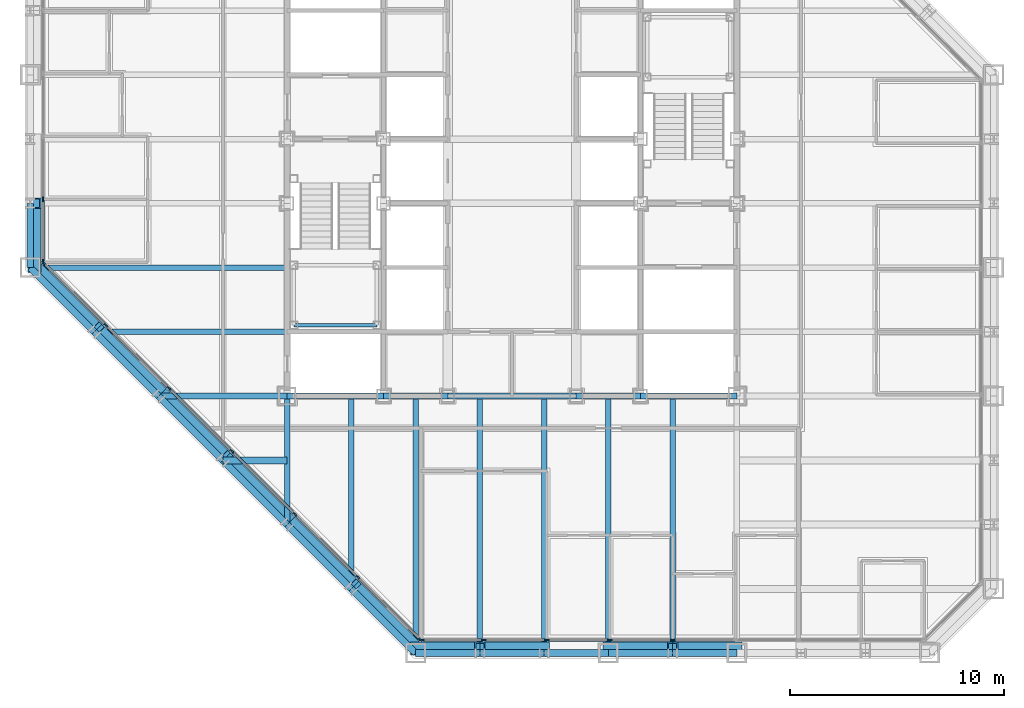
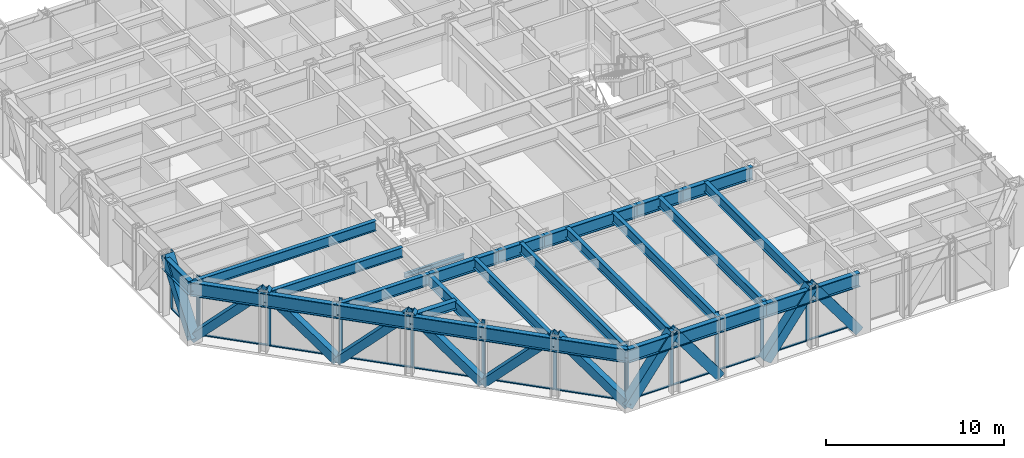
# One storey, part 4 of 16: 37 members, 29 beams, 3 elements without a shape of their own.
"""IFC4 building model written with IfcOpenShell, lengths in metres."""

from ifc_helpers import new_model, si_unit, direction, frame, origin, origin_2d, place, context, subcontext, project, spatial, rectangle, hollow_rectangle, i_section, extrude, material, layer, layer_set, material_profile, profile_set, type_object, element, aggregate, save


model = new_model("IFC4")

# Units and contexts
model_context = context("Model", 3, precision=1e-05, world=origin(), true_north=direction((0.0, 1.0)))
body_context = subcontext(model_context, "Body", "Model", "MODEL_VIEW")
ifc_project = project(units=[si_unit("LENGTHUNIT", "METRE"), si_unit("AREAUNIT", "SQUARE_METRE"), si_unit("VOLUMEUNIT", "CUBIC_METRE"), si_unit("PLANEANGLEUNIT", "RADIAN"), si_unit("MASSUNIT", "GRAM", prefix="KILO")], contexts=[model_context])

# Site, building, storey
site_placement = place(None, origin())
site = spatial("IfcSite", under=ifc_project, at=site_placement, CompositionType="ELEMENT")
building_placement = place(site_placement, origin())
building = spatial("IfcBuilding", under=site, at=building_placement, Name="Chuquiago Exchange Tower", CompositionType="ELEMENT")
storey_placement = place(building_placement, frame((0.0, 0.0, 148.800048828125)))
storey = spatial("IfcBuildingStorey", under=building, at=storey_placement, Name="L32", CompositionType="ELEMENT", Elevation=148.800048828125)

# Beams
ifc_material_1 = material(Name="Steel ASTM A992", Category="steel")
ifc_material_profile_1 = material_profile(ifc_material_1, i_section(OverallWidth=0.25390625, OverallDepth=0.683349609375, WebThickness=0.012451171875, FlangeThickness=0.018798828125, at=origin_2d()), Name="W27X94")
ifc_profile_set_1 = profile_set([ifc_material_profile_1], Name="Steel ASTM A992")
beam_type_1 = type_object("IfcBeamType", Name="B1 W27X94", PredefinedType="BEAM", material=ifc_profile_set_1)
beam_1_placement = place(storey_placement, frame((15.0, 12.0, 3.6982421875), z_axis=(0.0, -1.0, 0.0), x_axis=(1.0, 0.0, 0.0)))
element("IfcBeam", 1, at=beam_1_placement, inside=storey, type_object=beam_type_1, Name="FB-L33-infill-15_12-15_3-0", PredefinedType="BEAM", context=body_context, shape_type="SweptSolid", body=[
    extrude(i_section(OverallWidth=0.25390625, OverallDepth=0.683349609375, WebThickness=0.012451171875, FlangeThickness=0.018798828125, at=origin_2d()), origin(), (0.0, 0.0, 1.0), 9.0),
])
for number, where, z_axis, x_axis, name in (
    (2, (18.0, 12.0, 3.6982421875), (0.0, -1.0, 0.0), (1.0, 0.0, 0.0), "FB-L33-infill-18_12-18_-0-0"),
    (3, (21.0, 12.0, 3.6982421875), (0.0, -1.0, 0.0), (1.0, 0.0, 0.0), "FB-L33-infill-21_12-21_-0-0"),
    (4, (24.0, 12.0, 3.6982421875), (0.0, -1.0, 0.0), (1.0, 0.0, 0.0), "FB-L33-infill-24_12-24_-0-0"),
    (5, (27.0, 12.0, 3.6982421875), (0.0, -1.0, 0.0), (1.0, 0.0, 0.0), "FB-L33-infill-27_12-27_-0-0"),
    (6, (30.0, 12.0, 3.6982421875), (0.0, -1.0, 0.0), (1.0, 0.0, 0.0), "FB-L33-infill-30_12-30_-0-0"),
):
    element("IfcBeam", number, at=place(storey_placement, frame(where, z_axis=z_axis, x_axis=x_axis)), inside=storey, type_object=beam_type_1, Name=name, PredefinedType="BEAM", context=body_context, shape_type="SweptSolid", body=[
        extrude(i_section(OverallWidth=0.25390625, OverallDepth=0.683349609375, WebThickness=0.012451171875, FlangeThickness=0.018798828125, at=origin_2d()), origin(), (0.0, 0.0, 1.0), 12.0),
    ])
beam_2_placement = place(storey_placement, frame((12.0, 15.0, 3.6982421875), z_axis=(-1.0, 0.0, 0.0), x_axis=(0.0, -1.0, 0.0)))
element("IfcBeam", 7, at=beam_2_placement, inside=storey, type_object=beam_type_1, Name="FB-L33-infill-12_15-3_15-0", PredefinedType="BEAM", context=body_context, shape_type="SweptSolid", body=[
    extrude(i_section(OverallWidth=0.25390625, OverallDepth=0.683349609375, WebThickness=0.012451171875, FlangeThickness=0.018798828125, at=origin_2d()), origin(), (0.0, 0.0, 1.0), 9.0),
])
beam_3_placement = place(storey_placement, frame((12.0, 18.0, 3.6982421875), z_axis=(-1.0, 0.0, 0.0), x_axis=(0.0, -1.0, 0.0)))
element("IfcBeam", 8, at=beam_3_placement, inside=storey, type_object=beam_type_1, Name="FB-L33-infill-12_18--0_18-0", PredefinedType="BEAM", context=body_context, shape_type="SweptSolid", body=[
    extrude(i_section(OverallWidth=0.25390625, OverallDepth=0.683349609375, WebThickness=0.012451171875, FlangeThickness=0.018798828125, at=origin_2d()), origin(), (0.0, 0.0, 1.0), 12.0),
])
ifc_material_2 = material(Name="Steel ASTM A992", Category="steel")
ifc_material_profile_2 = material_profile(ifc_material_2, i_section(OverallWidth=0.3251953125, OverallDepth=0.612060546875, WebThickness=0.0126953125, FlangeThickness=0.01904296875, at=origin_2d()), Name="W24X104")
ifc_profile_set_2 = profile_set([ifc_material_profile_2], Name="Steel ASTM A992")
beam_type_2 = type_object("IfcBeamType", Name="B2 W24X104", PredefinedType="BEAM", material=ifc_profile_set_2)
beam_4_placement = place(storey_placement, frame((12.0, 9.0, 3.73388671875), z_axis=(-1.0, 0.0, 0.0), x_axis=(0.0, -1.0, 0.0)))
element("IfcBeam", 9, at=beam_4_placement, inside=storey, type_object=beam_type_2, Name="FB-L33-corner-12_9-9_9-0", PredefinedType="BEAM", context=body_context, shape_type="SweptSolid", body=[
    extrude(i_section(OverallWidth=0.3251953125, OverallDepth=0.612060546875, WebThickness=0.0126953125, FlangeThickness=0.01904296875, at=origin_2d()), origin(), (0.0, 0.0, 1.0), 3.0),
])
ifc_material_3 = material(Name="Steel ASTM A992", Category="steel")
ifc_material_profile_3 = material_profile(ifc_material_3, i_section(OverallWidth=0.2919921875, OverallDepth=0.8583984375, WebThickness=0.01708984375, FlangeThickness=0.031005859375, at=origin_2d()), Name="W33X169")
ifc_profile_set_3 = profile_set([ifc_material_profile_3], Name="Steel ASTM A992")
beam_type_3 = type_object("IfcBeamType", Name="B3 W33X169", PredefinedType="BEAM", material=ifc_profile_set_3)
beam_5_placement = place(storey_placement, frame((12.0, 12.0, 3.610595703125), z_axis=(1.0, 0.0, 0.0), x_axis=(0.0, 1.0, 0.0)))
element("IfcBeam", 10, at=beam_5_placement, inside=storey, type_object=beam_type_3, Name="CB-L33-12_12-16.5_12", PredefinedType="BEAM", context=body_context, shape_type="SweptSolid", body=[
    extrude(i_section(OverallWidth=0.2919921875, OverallDepth=0.8583984375, WebThickness=0.01708984375, FlangeThickness=0.031005859375, at=origin_2d()), origin(), (0.0, 0.0, 1.0), 4.5),
])
beam_6_placement = place(storey_placement, frame((16.5, 12.0, 3.610595703125), z_axis=(1.0, 0.0, 0.0), x_axis=(0.0, 1.0, 0.0)))
element("IfcBeam", 11, at=beam_6_placement, inside=storey, type_object=beam_type_3, Name="CB-L33-16.5_12-19.5_12", PredefinedType="BEAM", context=body_context, shape_type="SweptSolid", body=[
    extrude(i_section(OverallWidth=0.2919921875, OverallDepth=0.8583984375, WebThickness=0.01708984375, FlangeThickness=0.031005859375, at=origin_2d()), origin(), (0.0, 0.0, 1.0), 3.0),
])
beam_7_placement = place(storey_placement, frame((19.5, 12.0, 3.610595703125), z_axis=(1.0, 0.0, 0.0), x_axis=(0.0, 1.0, 0.0)))
element("IfcBeam", 12, at=beam_7_placement, inside=storey, type_object=beam_type_3, Name="CB-L33-19.5_12-25.5_12", PredefinedType="BEAM", context=body_context, shape_type="SweptSolid", body=[
    extrude(i_section(OverallWidth=0.2919921875, OverallDepth=0.8583984375, WebThickness=0.01708984375, FlangeThickness=0.031005859375, at=origin_2d()), origin(), (0.0, 0.0, 1.0), 6.0),
])
beam_8_placement = place(storey_placement, frame((25.5, 12.0, 3.610595703125), z_axis=(1.0, 0.0, 0.0), x_axis=(0.0, 1.0, 0.0)))
element("IfcBeam", 13, at=beam_8_placement, inside=storey, type_object=beam_type_3, Name="CB-L33-25.5_12-28.5_12", PredefinedType="BEAM", context=body_context, shape_type="SweptSolid", body=[
    extrude(i_section(OverallWidth=0.2919921875, OverallDepth=0.8583984375, WebThickness=0.01708984375, FlangeThickness=0.031005859375, at=origin_2d()), origin(), (0.0, 0.0, 1.0), 3.0),
])
beam_9_placement = place(storey_placement, frame((28.5, 12.0, 3.610595703125), z_axis=(1.0, 0.0, 0.0), x_axis=(0.0, 1.0, 0.0)))
element("IfcBeam", 14, at=beam_9_placement, inside=storey, type_object=beam_type_3, Name="CB-L33-28.5_12-33_12", PredefinedType="BEAM", context=body_context, shape_type="SweptSolid", body=[
    extrude(i_section(OverallWidth=0.2919921875, OverallDepth=0.8583984375, WebThickness=0.01708984375, FlangeThickness=0.031005859375, at=origin_2d()), origin(), (0.0, 0.0, 1.0), 4.5),
])

# Curtain wall, members
ifc_material_4 = material(Name="Aluminium curtain wall system", Category="aluminium")
ifc_layer_1 = layer(ifc_material_4, 0.22509765625)
ifc_layer_set_1 = layer_set([ifc_layer_1], Name="CW2 office curtain wall")
curtain_wall_type_1 = type_object("IfcCurtainWallType", Name="CW2 office curtain wall", PredefinedType="NOTDEFINED", material=ifc_layer_set_1)
curtain_wall_1_placement = place(storey_placement, origin())
curtain_wall_1 = element("IfcCurtainWall", 15, at=curtain_wall_1_placement, inside=storey, type_object=curtain_wall_type_1, Name="CW2 curtain wall L32", PredefinedType="NOTDEFINED")
ifc_material_5 = material(Name="Aluminium mullion, pale anodised", Category="aluminium")
ifc_material_profile_4 = material_profile(ifc_material_5, rectangle(XDim=0.06494140625, YDim=0.22509765625, at=origin_2d()), Name="AL 65x225")
ifc_profile_set_4 = profile_set([ifc_material_profile_4], Name="Aluminium mullion, pale anodised")
member_type_1 = type_object("IfcMemberType", Name="CW2-M mullion 65x225", PredefinedType="MULLION", material=ifc_profile_set_4)
member_1_placement = place(storey_placement, frame((18.281005859375, 0.60009765625, 0.0), z_axis=(0.0, 0.0, 1.0), x_axis=(0.0, 1.0, 0.0)))
member_1 = element("IfcMember", 16, at=member_1_placement, type_object=member_type_1, Name="CW2 mullion 1", PredefinedType="MULLION", context=body_context, shape_type="SweptSolid", body=[
    extrude(rectangle(XDim=0.06494140625, YDim=0.22509765625, at=origin_2d()), origin(), (0.0, 0.0, 1.0), 4.0400390625),
])
member_2_placement = place(storey_placement, frame((21.186279296875, 0.60009765625, 0.0), z_axis=(0.0, 0.0, 1.0), x_axis=(0.0, 1.0, 0.0)))
member_2 = element("IfcMember", 17, at=member_2_placement, type_object=member_type_1, Name="CW2 mullion 2", PredefinedType="MULLION", context=body_context, shape_type="SweptSolid", body=[
    extrude(rectangle(XDim=0.06494140625, YDim=0.22509765625, at=origin_2d()), origin(), (0.0, 0.0, 1.0), 4.0400390625),
])
member_3_placement = place(storey_placement, frame((24.124267578125, 0.60009765625, 0.0), z_axis=(0.0, 0.0, 1.0), x_axis=(0.0, 1.0, 0.0)))
member_3 = element("IfcMember", 18, at=member_3_placement, type_object=member_type_1, Name="CW2 mullion 3", PredefinedType="MULLION", context=body_context, shape_type="SweptSolid", body=[
    extrude(rectangle(XDim=0.06494140625, YDim=0.22509765625, at=origin_2d()), origin(), (0.0, 0.0, 1.0), 4.0400390625),
])
member_4_placement = place(storey_placement, frame((27.06201171875, 0.60009765625, 0.0), z_axis=(0.0, 0.0, 1.0), x_axis=(0.0, 1.0, 0.0)))
member_4 = element("IfcMember", 19, at=member_4_placement, type_object=member_type_1, Name="CW2 mullion 4", PredefinedType="MULLION", context=body_context, shape_type="SweptSolid", body=[
    extrude(rectangle(XDim=0.06494140625, YDim=0.22509765625, at=origin_2d()), origin(), (0.0, 0.0, 1.0), 4.0400390625),
])
member_5_placement = place(storey_placement, frame((30.0, 0.60009765625, 0.0), z_axis=(0.0, 0.0, 1.0), x_axis=(0.0, 1.0, 0.0)))
member_5 = element("IfcMember", 20, at=member_5_placement, type_object=member_type_1, Name="CW2 mullion 5", PredefinedType="MULLION", context=body_context, shape_type="SweptSolid", body=[
    extrude(rectangle(XDim=0.06494140625, YDim=0.22509765625, at=origin_2d()), origin(), (0.0, 0.0, 1.0), 4.0400390625),
])

curtain_wall_2_placement = place(storey_placement, origin())
curtain_wall_2 = element("IfcCurtainWall", 21, at=curtain_wall_2_placement, inside=storey, type_object=curtain_wall_type_1, Name="CW2 curtain wall L32", PredefinedType="NOTDEFINED")
member_6_placement = place(storey_placement, frame((0.60009765625, 21.186279296875, 0.0), z_axis=(0.0, 0.0, 1.0), x_axis=(1.0, 0.0, 0.0)))
member_6 = element("IfcMember", 22, at=member_6_placement, type_object=member_type_1, Name="CW2 mullion 8", PredefinedType="MULLION", context=body_context, shape_type="SweptSolid", body=[
    extrude(rectangle(XDim=0.06494140625, YDim=0.22509765625, at=origin_2d()), origin(), (0.0, 0.0, 1.0), 4.0400390625),
])
member_7_placement = place(storey_placement, frame((0.60009765625, 18.281005859375, 0.0), z_axis=(0.0, 0.0, 1.0), x_axis=(1.0, 0.0, 0.0)))
member_7 = element("IfcMember", 23, at=member_7_placement, type_object=member_type_1, Name="CW2 mullion 9", PredefinedType="MULLION", context=body_context, shape_type="SweptSolid", body=[
    extrude(rectangle(XDim=0.06494140625, YDim=0.22509765625, at=origin_2d()), origin(), (0.0, 0.0, 1.0), 4.0400390625),
])

# Member
ifc_material_6 = material(Name="Aluminium transom, pale anodised", Category="aluminium")
ifc_material_profile_5 = material_profile(ifc_material_6, rectangle(XDim=0.139892578125, YDim=0.06494140625, at=origin_2d()), Name="AL 140x65")
ifc_profile_set_5 = profile_set([ifc_material_profile_5], Name="Aluminium transom, pale anodised")
member_type_2 = type_object("IfcMemberType", Name="CW2-T transom 65x140", PredefinedType="MULLION", material=ifc_profile_set_5)
member_8_placement = place(storey_placement, frame((18.3134765625, 0.60009765625, 0.032470703125), z_axis=(1.0, 0.0, 0.0), x_axis=(0.0, 1.0, 0.0)))
member_8 = element("IfcMember", 24, at=member_8_placement, type_object=member_type_2, Name="CW2 transom 1.1", PredefinedType="MULLION", context=body_context, shape_type="SweptSolid", body=[
    extrude(rectangle(XDim=0.139892578125, YDim=0.06494140625, at=origin_2d()), origin(), (0.0, 0.0, 1.0), 2.84033203125),
])

member_9_placement = place(storey_placement, frame((21.218994140625, 0.60009765625, 0.032470703125), z_axis=(1.0, 0.0, 0.0), x_axis=(0.0, 1.0, 0.0)))
member_9 = element("IfcMember", 25, at=member_9_placement, type_object=member_type_2, Name="CW2 transom 2.1", PredefinedType="MULLION", context=body_context, shape_type="SweptSolid", body=[
    extrude(rectangle(XDim=0.139892578125, YDim=0.06494140625, at=origin_2d()), origin(), (0.0, 0.0, 1.0), 2.872802734375),
])

member_10_placement = place(storey_placement, frame((24.15673828125, 0.60009765625, 0.032470703125), z_axis=(1.0, 0.0, 0.0), x_axis=(0.0, 1.0, 0.0)))
member_10 = element("IfcMember", 26, at=member_10_placement, type_object=member_type_2, Name="CW2 transom 3.1", PredefinedType="MULLION", context=body_context, shape_type="SweptSolid", body=[
    extrude(rectangle(XDim=0.139892578125, YDim=0.06494140625, at=origin_2d()), origin(), (0.0, 0.0, 1.0), 2.872802734375),
])

member_11_placement = place(storey_placement, frame((27.0947265625, 0.60009765625, 0.032470703125), z_axis=(1.0, 0.0, 0.0), x_axis=(0.0, 1.0, 0.0)))
member_11 = element("IfcMember", 27, at=member_11_placement, type_object=member_type_2, Name="CW2 transom 4.1", PredefinedType="MULLION", context=body_context, shape_type="SweptSolid", body=[
    extrude(rectangle(XDim=0.139892578125, YDim=0.06494140625, at=origin_2d()), origin(), (0.0, 0.0, 1.0), 2.872802734375),
])

member_12_placement = place(storey_placement, frame((30.032470703125, 0.60009765625, 0.032470703125), z_axis=(1.0, 0.0, 0.0), x_axis=(0.0, 1.0, 0.0)))
member_12 = element("IfcMember", 28, at=member_12_placement, type_object=member_type_2, Name="CW2 transom 5.1", PredefinedType="MULLION", context=body_context, shape_type="SweptSolid", body=[
    extrude(rectangle(XDim=0.139892578125, YDim=0.06494140625, at=origin_2d()), origin(), (0.0, 0.0, 1.0), 2.872802734375),
])

aggregate(curtain_wall_1, [member_1, member_2, member_3, member_4, member_5, member_8, member_9, member_10, member_11, member_12])

member_13_placement = place(storey_placement, frame((0.60009765625, 21.15380859375, 0.032470703125), z_axis=(0.0, -1.0, 0.0), x_axis=(1.0, 0.0, 0.0)))
member_13 = element("IfcMember", 29, at=member_13_placement, type_object=member_type_2, Name="CW2 transom 8.1", PredefinedType="MULLION", context=body_context, shape_type="SweptSolid", body=[
    extrude(rectangle(XDim=0.139892578125, YDim=0.06494140625, at=origin_2d()), origin(), (0.0, 0.0, 1.0), 2.84033203125),
])

aggregate(curtain_wall_2, [member_6, member_7, member_13])

# Curtain wall, members
ifc_material_7 = material(Name="Aluminium curtain wall system", Category="aluminium")
ifc_layer_2 = layer(ifc_material_7, 0.199951171875)
ifc_layer_set_2 = layer_set([ifc_layer_2], Name="CW3 facet curtain wall")
curtain_wall_type_2 = type_object("IfcCurtainWallType", Name="CW3 facet curtain wall", PredefinedType="NOTDEFINED", material=ifc_layer_set_2)
curtain_wall_3_placement = place(storey_placement, origin())
curtain_wall_3 = element("IfcCurtainWall", 30, at=curtain_wall_3_placement, inside=storey, type_object=curtain_wall_type_2, Name="CW3 curtain wall L32", PredefinedType="NOTDEFINED")
ifc_material_8 = material(Name="Aluminium mullion, pale anodised", Category="aluminium")
ifc_material_profile_6 = material_profile(ifc_material_8, rectangle(XDim=0.06494140625, YDim=0.199951171875, at=origin_2d()), Name="AL 65x200")
ifc_profile_set_6 = profile_set([ifc_material_profile_6], Name="Aluminium mullion, pale anodised")
member_type_3 = type_object("IfcMemberType", Name="CW3-M mullion 65x200", PredefinedType="MULLION", material=ifc_profile_set_6)
member_14_placement = place(storey_placement, frame((0.623046875, 18.2255859375, 0.0), z_axis=(0.0, 0.0, 1.0), x_axis=(0.707106781187, 0.707106781187, 0.0)))
member_14 = element("IfcMember", 31, at=member_14_placement, type_object=member_type_3, Name="CW3 mullion 1", PredefinedType="MULLION", context=body_context, shape_type="SweptSolid", body=[
    extrude(rectangle(XDim=0.06494140625, YDim=0.199951171875, at=origin_2d()), origin(), (0.0, 0.0, 1.0), 4.0400390625),
])
member_15_placement = place(storey_placement, frame((3.54150390625, 15.30712890625, 0.0), z_axis=(0.0, 0.0, 1.0), x_axis=(0.707106781187, 0.707106781187, 0.0)))
member_15 = element("IfcMember", 32, at=member_15_placement, type_object=member_type_3, Name="CW3 mullion 2", PredefinedType="MULLION", context=body_context, shape_type="SweptSolid", body=[
    extrude(rectangle(XDim=0.06494140625, YDim=0.199951171875, at=origin_2d()), origin(), (0.0, 0.0, 1.0), 4.0400390625),
])
member_16_placement = place(storey_placement, frame((6.48291015625, 12.36572265625, 0.0), z_axis=(0.0, 0.0, 1.0), x_axis=(0.707106781187, 0.707106781187, 0.0)))
member_16 = element("IfcMember", 33, at=member_16_placement, type_object=member_type_3, Name="CW3 mullion 3", PredefinedType="MULLION", context=body_context, shape_type="SweptSolid", body=[
    extrude(rectangle(XDim=0.06494140625, YDim=0.199951171875, at=origin_2d()), origin(), (0.0, 0.0, 1.0), 4.0400390625),
])
member_17_placement = place(storey_placement, frame((9.42431640625, 9.42431640625, 0.0), z_axis=(0.0, 0.0, 1.0), x_axis=(0.707106781187, 0.707106781187, 0.0)))
member_17 = element("IfcMember", 34, at=member_17_placement, type_object=member_type_3, Name="CW3 mullion 4", PredefinedType="MULLION", context=body_context, shape_type="SweptSolid", body=[
    extrude(rectangle(XDim=0.06494140625, YDim=0.199951171875, at=origin_2d()), origin(), (0.0, 0.0, 1.0), 4.0400390625),
])
member_18_placement = place(storey_placement, frame((12.36572265625, 6.48291015625, 0.0), z_axis=(0.0, 0.0, 1.0), x_axis=(0.707106781187, 0.707106781187, 0.0)))
member_18 = element("IfcMember", 35, at=member_18_placement, type_object=member_type_3, Name="CW3 mullion 5", PredefinedType="MULLION", context=body_context, shape_type="SweptSolid", body=[
    extrude(rectangle(XDim=0.06494140625, YDim=0.199951171875, at=origin_2d()), origin(), (0.0, 0.0, 1.0), 4.0400390625),
])
member_19_placement = place(storey_placement, frame((15.30712890625, 3.54150390625, 0.0), z_axis=(0.0, 0.0, 1.0), x_axis=(0.707106781187, 0.707106781187, 0.0)))
member_19 = element("IfcMember", 36, at=member_19_placement, type_object=member_type_3, Name="CW3 mullion 6", PredefinedType="MULLION", context=body_context, shape_type="SweptSolid", body=[
    extrude(rectangle(XDim=0.06494140625, YDim=0.199951171875, at=origin_2d()), origin(), (0.0, 0.0, 1.0), 4.0400390625),
])
member_20_placement = place(storey_placement, frame((18.2255859375, 0.623046875, 0.0), z_axis=(0.0, 0.0, 1.0), x_axis=(0.707106781187, 0.707106781187, 0.0)))
member_20 = element("IfcMember", 37, at=member_20_placement, type_object=member_type_3, Name="CW3 mullion 7", PredefinedType="MULLION", context=body_context, shape_type="SweptSolid", body=[
    extrude(rectangle(XDim=0.06494140625, YDim=0.199951171875, at=origin_2d()), origin(), (0.0, 0.0, 1.0), 4.0400390625),
])
ifc_material_9 = material(Name="Aluminium transom, pale anodised", Category="aluminium")
ifc_material_profile_7 = material_profile(ifc_material_9, rectangle(XDim=0.139892578125, YDim=0.06494140625, at=origin_2d()), Name="AL 140x65")
ifc_profile_set_7 = profile_set([ifc_material_profile_7], Name="Aluminium transom, pale anodised")
member_type_4 = type_object("IfcMemberType", Name="CW3-T transom 65x140", PredefinedType="MULLION", material=ifc_profile_set_7)
member_21_placement = place(storey_placement, frame((0.64599609375, 18.20263671875, 0.032470703125), z_axis=(0.707106781187, -0.707106781187, 0.0), x_axis=(0.707106781187, 0.707106781187, 0.0)))
member_21 = element("IfcMember", 38, at=member_21_placement, type_object=member_type_4, Name="CW3 transom 1.1", PredefinedType="MULLION", context=body_context, shape_type="SweptSolid", body=[
    extrude(rectangle(XDim=0.139892578125, YDim=0.06494140625, at=origin_2d()), origin(), (0.0, 0.0, 1.0), 4.0625),
])
member_22_placement = place(storey_placement, frame((3.564453125, 15.2841796875, 0.032470703125), z_axis=(0.707106781187, -0.707106781187, 0.0), x_axis=(0.707106781187, 0.707106781187, 0.0)))
member_22 = element("IfcMember", 39, at=member_22_placement, type_object=member_type_4, Name="CW3 transom 2.1", PredefinedType="MULLION", context=body_context, shape_type="SweptSolid", body=[
    extrude(rectangle(XDim=0.139892578125, YDim=0.06494140625, at=origin_2d()), origin(), (0.0, 0.0, 1.0), 4.094970703125),
])
member_23_placement = place(storey_placement, frame((6.505859375, 12.3427734375, 0.032470703125), z_axis=(0.707106781187, -0.707106781187, 0.0), x_axis=(0.707106781187, 0.707106781187, 0.0)))
member_23 = element("IfcMember", 40, at=member_23_placement, type_object=member_type_4, Name="CW3 transom 3.1", PredefinedType="MULLION", context=body_context, shape_type="SweptSolid", body=[
    extrude(rectangle(XDim=0.139892578125, YDim=0.06494140625, at=origin_2d()), origin(), (0.0, 0.0, 1.0), 4.094970703125),
])
member_24_placement = place(storey_placement, frame((9.447265625, 9.4013671875, 0.032470703125), z_axis=(0.707106781187, -0.707106781187, 0.0), x_axis=(0.707106781187, 0.707106781187, 0.0)))
member_24 = element("IfcMember", 41, at=member_24_placement, type_object=member_type_4, Name="CW3 transom 4.1", PredefinedType="MULLION", context=body_context, shape_type="SweptSolid", body=[
    extrude(rectangle(XDim=0.139892578125, YDim=0.06494140625, at=origin_2d()), origin(), (0.0, 0.0, 1.0), 4.094970703125),
])
member_25_placement = place(storey_placement, frame((12.388671875, 6.4599609375, 0.032470703125), z_axis=(0.707106781187, -0.707106781187, 0.0), x_axis=(0.707106781187, 0.707106781187, 0.0)))
member_25 = element("IfcMember", 42, at=member_25_placement, type_object=member_type_4, Name="CW3 transom 5.1", PredefinedType="MULLION", context=body_context, shape_type="SweptSolid", body=[
    extrude(rectangle(XDim=0.139892578125, YDim=0.06494140625, at=origin_2d()), origin(), (0.0, 0.0, 1.0), 4.094970703125),
])
member_26_placement = place(storey_placement, frame((15.330078125, 3.5185546875, 0.032470703125), z_axis=(0.707106781187, -0.707106781187, 0.0), x_axis=(0.707106781187, 0.707106781187, 0.0)))
member_26 = element("IfcMember", 43, at=member_26_placement, type_object=member_type_4, Name="CW3 transom 6.1", PredefinedType="MULLION", context=body_context, shape_type="SweptSolid", body=[
    extrude(rectangle(XDim=0.139892578125, YDim=0.06494140625, at=origin_2d()), origin(), (0.0, 0.0, 1.0), 4.0625),
])
aggregate(curtain_wall_3, [member_14, member_15, member_16, member_17, member_18, member_19, member_20, member_21, member_22, member_23, member_24, member_25, member_26])

# Beams
ifc_material_10 = material(Name="Steel ASTM A992", Category="steel")
ifc_material_profile_8 = material_profile(ifc_material_10, i_section(OverallWidth=0.2666015625, OverallDepth=0.76953125, WebThickness=0.015625, FlangeThickness=0.025390625, at=origin_2d()), Name="W30X132")
ifc_profile_set_8 = profile_set([ifc_material_profile_8], Name="Steel ASTM A992")
beam_type_4 = type_object("IfcBeamType", Name="G1 W30X132", PredefinedType="BEAM", material=ifc_profile_set_8)
for number, where, z_axis, x_axis, name in (
    (44, (12.0, 12.0, 3.655029296875), (0.0, -1.0, 0.0), (1.0, 0.0, 0.0), "FB-L33-girder-12_12-12_6-0"),
    (45, (12.0, 12.0, 3.655029296875), (-1.0, 0.0, 0.0), (0.0, -1.0, 0.0), "FB-L33-girder-12_12-6_12-0"),
):
    element("IfcBeam", number, at=place(storey_placement, frame(where, z_axis=z_axis, x_axis=x_axis)), inside=storey, type_object=beam_type_4, Name=name, PredefinedType="BEAM", context=body_context, shape_type="SweptSolid", body=[
        extrude(i_section(OverallWidth=0.2666015625, OverallDepth=0.76953125, WebThickness=0.015625, FlangeThickness=0.025390625, at=origin_2d()), origin(), (0.0, 0.0, 1.0), 6.0),
    ])

# Members
ifc_material_11 = material(Name="Steel ASTM A500 Grade C", Category="steel")
ifc_material_profile_9 = material_profile(ifc_material_11, hollow_rectangle(XDim=0.508056640625, YDim=0.508056640625, WallThickness=0.017822265625, at=origin_2d()), Name="HSS20X20X3/4")
ifc_profile_set_9 = profile_set([ifc_material_profile_9], Name="Steel ASTM A500 Grade C")
member_type_5 = type_object("IfcMemberType", Name="LB1 HSS20X20X3/4", PredefinedType="BRACE", material=ifc_profile_set_9)
for number, where, z_axis, x_axis, name in (
    (46, (0.177490234375, 18.177490234375, 0.0), (0.512077265487, -0.512077265487, 0.689604051861), (0.707106781187, 0.707106781187, 0.0), "LB-L32-0_18-3_15"),
    (47, (6.177490234375, 12.177490234375, 0.0), (-0.512077265487, 0.512077265487, 0.689604051861), (-0.707106781187, -0.707106781187, 0.0), "LB-L32-3_15-6_12"),
    (48, (6.177490234375, 12.177490234375, 0.0), (0.512077265487, -0.512077265487, 0.689604051861), (0.707106781187, 0.707106781187, 0.0), "LB-L32-6_12-9_9"),
    (49, (12.177490234375, 6.177490234375, 0.0), (-0.512077265487, 0.512077265487, 0.689604051861), (-0.707106781187, -0.707106781187, 0.0), "LB-L32-9_9-12_6"),
    (50, (12.177490234375, 6.177490234375, 0.0), (0.512077265487, -0.512077265487, 0.689604051861), (0.707106781187, 0.707106781187, 0.0), "LB-L32-12_6-15_3"),
    (51, (18.177490234375, 0.177490234375, 0.0), (-0.512077265487, 0.512077265487, 0.689604051861), (-0.707106781187, -0.707106781187, 0.0), "LB-L32-15_3-18_0"),
):
    element("IfcMember", number, at=place(storey_placement, frame(where, z_axis=z_axis, x_axis=x_axis)), inside=storey, type_object=member_type_5, Name=name, PredefinedType="BRACE", context=body_context, shape_type="SweptSolid", body=[
        extrude(hollow_rectangle(XDim=0.508056640625, YDim=0.508056640625, WallThickness=0.017822265625, at=origin_2d()), origin(), (0.0, 0.0, 1.0), 5.8583984375),
    ])

# Beam
ifc_material_12 = material(Name="Steel ASTM A992", Category="steel")
ifc_material_profile_10 = material_profile(ifc_material_12, i_section(OverallWidth=0.164794921875, OverallDepth=0.309814453125, WebThickness=0.005859375, FlangeThickness=0.009765625, at=origin_2d()), Name="W12X26")
ifc_profile_set_10 = profile_set([ifc_material_profile_10], Name="Steel ASTM A992")
beam_type_5 = type_object("IfcBeamType", Name="LT1 W12X26", PredefinedType="BEAM", material=ifc_profile_set_10)
beam_10_placement = place(storey_placement, frame((12.31005859375, 15.31005859375, 1.7451171875), z_axis=(1.0, 0.0, 0.0), x_axis=(0.0, 1.0, 0.0)))
element("IfcBeam", 52, at=beam_10_placement, inside=storey, type_object=beam_type_5, Name="Stair ST1 L32 landing 1 trimmer", PredefinedType="BEAM", context=body_context, shape_type="SweptSolid", body=[
    extrude(i_section(OverallWidth=0.164794921875, OverallDepth=0.309814453125, WebThickness=0.005859375, FlangeThickness=0.009765625, at=origin_2d()), origin(), (0.0, 0.0, 1.0), 3.8798828125),
])

# Members
ifc_material_13 = material(Name="Steel ASTM A572 Grade 50", Category="steel")
ifc_material_profile_11 = material_profile(ifc_material_13, hollow_rectangle(XDim=0.60009765625, YDim=0.60009765625, WallThickness=0.06005859375, at=origin_2d()), Name="BOX600X600X60")
ifc_profile_set_11 = profile_set([ifc_material_profile_11], Name="Steel ASTM A572 Grade 50")
member_type_6 = type_object("IfcMemberType", Name="MB2 BOX600X600X60", PredefinedType="BRACE", material=ifc_profile_set_11)
for number, where, z_axis, x_axis, name in (
    (53, (18.0, 0.205078125, 0.0), (0.596173923302, 0.0, 0.802855312728), (0.0, 1.0, 0.0), "Mega diagonal L32 S face"),
    (54, (24.0, 0.205078125, 0.0), (-0.596173923302, 0.0, 0.802855312728), (0.0, -1.0, 0.0), "Mega diagonal L32 S face"),
    (55, (27.0, 0.205078125, 0.0), (0.596173923302, 0.0, 0.802855312728), (0.0, 1.0, 0.0), "Mega diagonal L32 S face"),
    (56, (33.0, 0.205078125, 0.0), (-0.596173923302, 0.0, 0.802855312728), (0.0, -1.0, 0.0), "Mega diagonal L32 S face"),
    (57, (0.205078125, 18.0, 0.0), (0.0, 0.596173923302, 0.802855312728), (-1.0, 0.0, 0.0), "Mega diagonal L32 W face"),
):
    element("IfcMember", number, at=place(storey_placement, frame(where, z_axis=z_axis, x_axis=x_axis)), inside=storey, type_object=member_type_6, Name=name, PredefinedType="BRACE", context=body_context, shape_type="SweptSolid", body=[
        extrude(hollow_rectangle(XDim=0.60009765625, YDim=0.60009765625, WallThickness=0.06005859375, at=origin_2d()), origin(), (0.0, 0.0, 1.0), 5.031982421875),
    ])

# Beams
ifc_material_14 = material(Name="Steel ASTM A992", Category="steel")
ifc_material_profile_12 = material_profile(ifc_material_14, i_section(OverallWidth=0.309814453125, OverallDepth=0.949951171875, WebThickness=0.0244140625, FlangeThickness=0.0439453125, at=origin_2d()), Name="W36X256")
ifc_profile_set_12 = profile_set([ifc_material_profile_12], Name="Steel ASTM A992")
beam_type_6 = type_object("IfcBeamType", Name="SP2 W36X256", PredefinedType="SPANDREL", material=ifc_profile_set_12)
for number, where, z_axis, x_axis, name in (
    (58, (18.0, 0.0, 3.56494140625), (1.0, 0.0, 0.0), (0.0, 1.0, 0.0), "SPB-L33-18_0-21_0"),
    (59, (21.0, 0.0, 3.56494140625), (1.0, 0.0, 0.0), (0.0, 1.0, 0.0), "SPB-L33-21_0-24_0"),
    (60, (24.0, 0.0, 3.56494140625), (1.0, 0.0, 0.0), (0.0, 1.0, 0.0), "SPB-L33-24_0-27_0"),
    (61, (27.0, 0.0, 3.56494140625), (1.0, 0.0, 0.0), (0.0, 1.0, 0.0), "SPB-L33-27_0-30_0"),
    (62, (30.0, 0.0, 3.56494140625), (1.0, 0.0, 0.0), (0.0, 1.0, 0.0), "SPB-L33-30_0-33_0"),
    (63, (0.0, 21.0, 3.56494140625), (0.0, -1.0, 0.0), (1.0, 0.0, 0.0), "SPB-L33-0_21-0_18"),
):
    element("IfcBeam", number, at=place(storey_placement, frame(where, z_axis=z_axis, x_axis=x_axis)), inside=storey, type_object=beam_type_6, Name=name, PredefinedType="SPANDREL", context=body_context, shape_type="SweptSolid", body=[
        extrude(i_section(OverallWidth=0.309814453125, OverallDepth=0.949951171875, WebThickness=0.0244140625, FlangeThickness=0.0439453125, at=origin_2d()), origin(), (0.0, 0.0, 1.0), 3.0),
    ])
for number, where, z_axis, x_axis, name in (
    (64, (0.0, 18.0, 3.56494140625), (0.707106781187, -0.707106781187, 0.0), (0.707106781187, 0.707106781187, 0.0), "SPB-L33-0_18-3_15"),
    (65, (3.0, 15.0, 3.56494140625), (0.707106781187, -0.707106781187, 0.0), (0.707106781187, 0.707106781187, 0.0), "SPB-L33-3_15-6_12"),
    (66, (6.0, 12.0, 3.56494140625), (0.707106781187, -0.707106781187, 0.0), (0.707106781187, 0.707106781187, 0.0), "SPB-L33-6_12-9_9"),
    (67, (9.0, 9.0, 3.56494140625), (0.707106781187, -0.707106781187, 0.0), (0.707106781187, 0.707106781187, 0.0), "SPB-L33-9_9-12_6"),
    (68, (12.0, 6.0, 3.56494140625), (0.707106781187, -0.707106781187, 0.0), (0.707106781187, 0.707106781187, 0.0), "SPB-L33-12_6-15_3"),
    (69, (15.0, 3.0, 3.56494140625), (0.707106781187, -0.707106781187, 0.0), (0.707106781187, 0.707106781187, 0.0), "SPB-L33-15_3-18_0"),
):
    element("IfcBeam", number, at=place(storey_placement, frame(where, z_axis=z_axis, x_axis=x_axis)), inside=storey, type_object=beam_type_6, Name=name, PredefinedType="SPANDREL", context=body_context, shape_type="SweptSolid", body=[
        extrude(i_section(OverallWidth=0.309814453125, OverallDepth=0.949951171875, WebThickness=0.0244140625, FlangeThickness=0.0439453125, at=origin_2d()), origin(), (0.0, 0.0, 1.0), 4.24267578125),
    ])

save(model, "model.ifc")
